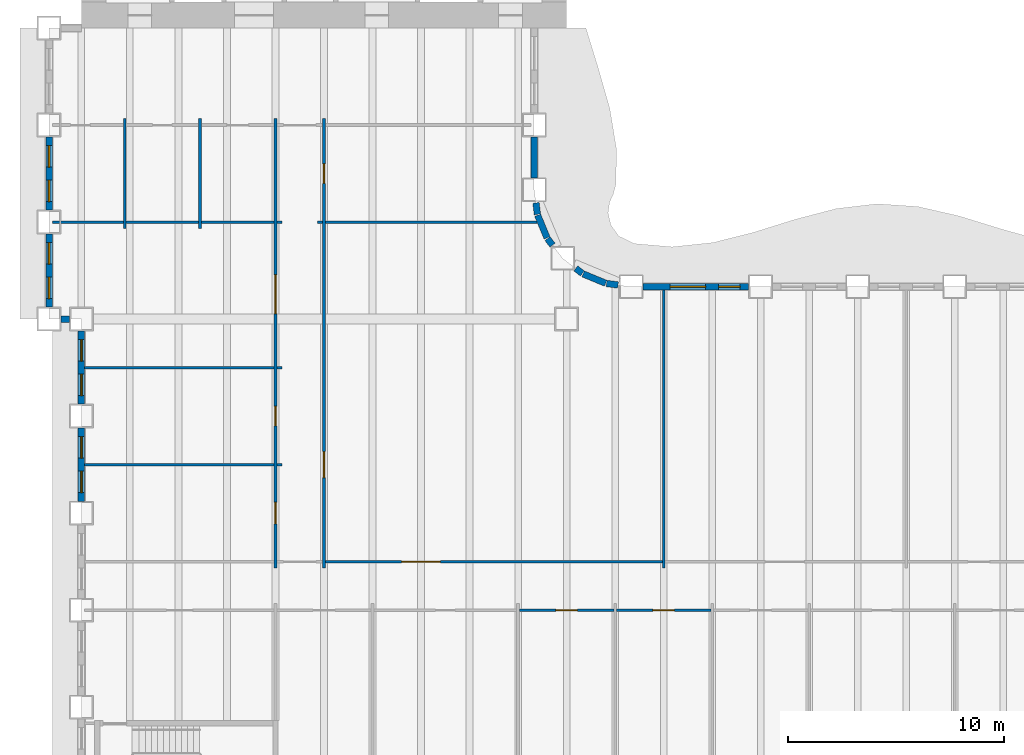
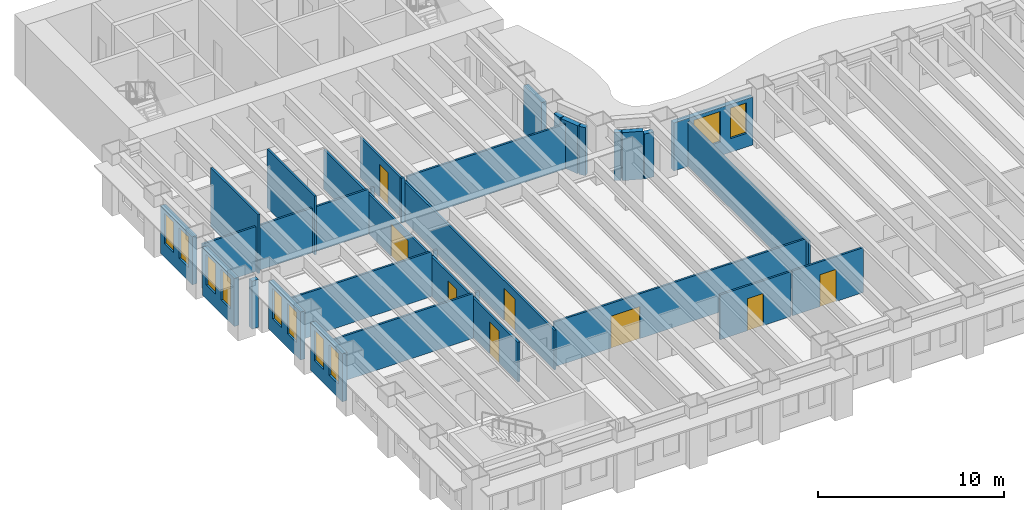
# One storey, part 4 of 15: 31 walls, 10 windows, 8 doors, 18 openings.
"""IFC4 building model written with IfcOpenShell, lengths in metres."""

from ifc_helpers import new_model, si_unit, direction, frame, frame_2d, origin, place, context, subcontext, project, spatial, rectangle, extrude, material, layer, layer_set, type_object, element, fill, save


model = new_model("IFC4")

# Units and contexts
model_context = context("Model", 3, precision=1e-05, world=origin(), true_north=direction((0.0, 1.0)))
body_context = subcontext(model_context, "Body", "Model", "MODEL_VIEW")
ifc_project = project(units=[si_unit("LENGTHUNIT", "METRE"), si_unit("AREAUNIT", "SQUARE_METRE"), si_unit("VOLUMEUNIT", "CUBIC_METRE"), si_unit("PLANEANGLEUNIT", "RADIAN"), si_unit("MASSUNIT", "GRAM", prefix="KILO")], contexts=[model_context])

# Site, building, storey
site_placement = place(None, origin())
site = spatial("IfcSite", under=ifc_project, at=site_placement, CompositionType="ELEMENT")
building_placement = place(site_placement, origin())
building = spatial("IfcBuilding", under=site, at=building_placement, Name="Sennacour Bend Tower", CompositionType="ELEMENT")
storey_placement = place(building_placement, frame((0.0, 0.0, 37.0)))
storey = spatial("IfcBuildingStorey", under=building, at=storey_placement, Name="L07", CompositionType="ELEMENT", Elevation=37.0)

# Walls
ifc_material_1 = material(Name="Plasterboard partition on steel studs", Category="steel")
ifc_layer_1 = layer(ifc_material_1, 0.1201171875, Name="Plasterboard partition on steel studs", Category="steel")
ifc_layer_set_1 = layer_set([ifc_layer_1], Name="Plasterboard partition on steel studs")
wall_type_1 = type_object("IfcWallType", Name="Partition 120", PredefinedType="PARTITIONING", material=ifc_layer_set_1)
for number, where, z_axis, x_axis, name in (
    (1, (2.0, 26.699951171875, 0.0), (0.0, 0.0, 1.0), (0.0, 1.0, 0.0), "P-L07-W004a"),
    (2, (5.5, 26.699951171875, 0.0), (0.0, 0.0, 1.0), (0.0, 1.0, 0.0), "P-L07-W008a"),
):
    element("IfcWall", number, at=place(storey_placement, frame(where, z_axis=z_axis, x_axis=x_axis)), inside=storey, type_object=wall_type_1, Name=name, PredefinedType="PARTITIONING", context=body_context, shape_type="SweptSolid", body=[
        extrude(rectangle(XDim=5.10009765625, YDim=0.1201171875, at=frame_2d((2.550048828125, 0.0))), origin(), (0.0, 0.0, 1.0), 3.85009765625),
    ])
wall_1_placement = place(storey_placement, frame((27.0, 10.949951171875, 0.0), z_axis=(0.0, 0.0, 1.0), x_axis=(0.0, 1.0, 0.0)))
element("IfcWall", 3, at=wall_1_placement, inside=storey, type_object=wall_type_1, Name="P-L07-W027a", PredefinedType="PARTITIONING", context=body_context, shape_type="SweptSolid", body=[
    extrude(rectangle(XDim=12.900146484375, YDim=0.1201171875, at=frame_2d((6.4501953125, 0.0))), origin(), (0.0, 0.0, 1.0), 2.93798828125),
])

# Wall, opening, door
wall_2_placement = place(storey_placement, frame((20.31005859375, 9.0, 0.0), z_axis=(0.0, 0.0, 1.0), x_axis=(1.0, 0.0, 0.0)))
wall_2 = element("IfcWall", 4, at=wall_2_placement, inside=storey, type_object=wall_type_1, Name="P-L07-W058ad", PredefinedType="PARTITIONING", context=body_context, shape_type="SweptSolid", body=[
    extrude(rectangle(XDim=4.3798828125, YDim=0.1201171875, at=frame_2d((2.18994140625, 0.0))), origin(), (0.0, 0.0, 1.0), 2.93798828125),
])
opening_1_placement = place(wall_2_placement, frame((1.68994140625, 0.0, 0.0)))
opening_1 = element("IfcOpeningElement", 5, at=opening_1_placement, cuts=wall_2, Name="Opening MD2", PredefinedType="OPENING", context=body_context, shape_type="SweptSolid", body=[
    extrude(rectangle(XDim=1.0, YDim=2.10009765625, at=frame_2d((0.5, 1.050048828125))), frame((0.0, 0.070068359375, 0.0), z_axis=(0.0, -1.0, 0.0), x_axis=(1.0, 0.0, 0.0)), (0.0, 0.0, 1.0), 0.14013671875),
])
ifc_material_2 = material(Name="Timber", Category="wood")
door_type_1 = type_object("IfcDoorType", Name="DR-MEETING-1000", OperationType="NOTDEFINED", PredefinedType="DOOR", material=ifc_material_2)
door_1_placement = place(opening_1_placement, origin())
door_1 = element("IfcDoor", 6, at=door_1_placement, inside=storey, type_object=door_type_1, Name="Door", OperationType="SINGLE_SWING_LEFT", OverallHeight=2.10009765625, OverallWidth=1.0, PredefinedType="DOOR", context=body_context, shape_type="SweptSolid", body=[
    extrude(rectangle(XDim=1.0, YDim=2.10009765625, at=frame_2d((0.5, 1.050048828125))), frame((0.0, 0.02490234375, 0.0), z_axis=(0.0, -1.0, 0.0), x_axis=(1.0, 0.0, 0.0)), (0.0, 0.0, 1.0), 0.050048828125),
])
fill(opening_1, door_1)

wall_3_placement = place(storey_placement, frame((24.81005859375, 9.0, 0.0), z_axis=(0.0, 0.0, 1.0), x_axis=(1.0, 0.0, 0.0)))
wall_3 = element("IfcWall", 7, at=wall_3_placement, inside=storey, type_object=wall_type_1, Name="P-L07-W058ae", PredefinedType="PARTITIONING", context=body_context, shape_type="SweptSolid", body=[
    extrude(rectangle(XDim=4.3798828125, YDim=0.1201171875, at=frame_2d((2.18994140625, 0.0))), origin(), (0.0, 0.0, 1.0), 2.93798828125),
])
opening_2_placement = place(wall_3_placement, frame((1.68994140625, 0.0, 0.0)))
opening_2 = element("IfcOpeningElement", 8, at=opening_2_placement, cuts=wall_3, Name="Opening OD2", PredefinedType="OPENING", context=body_context, shape_type="SweptSolid", body=[
    extrude(rectangle(XDim=1.0, YDim=2.10009765625, at=frame_2d((0.5, 1.050048828125))), frame((0.0, 0.070068359375, 0.0), z_axis=(0.0, -1.0, 0.0), x_axis=(1.0, 0.0, 0.0)), (0.0, 0.0, 1.0), 0.14013671875),
])
door_type_2 = type_object("IfcDoorType", Name="DR-OFFICE-1000", OperationType="NOTDEFINED", PredefinedType="DOOR", material=ifc_material_2)
door_2_placement = place(opening_2_placement, origin())
door_2 = element("IfcDoor", 9, at=door_2_placement, inside=storey, type_object=door_type_2, Name="Door", OperationType="SINGLE_SWING_LEFT", OverallHeight=2.10009765625, OverallWidth=1.0, PredefinedType="DOOR", context=body_context, shape_type="SweptSolid", body=[
    extrude(rectangle(XDim=1.0, YDim=2.10009765625, at=frame_2d((0.5, 1.050048828125))), frame((0.0, 0.02490234375, 0.0), z_axis=(0.0, -1.0, 0.0), x_axis=(1.0, 0.0, 0.0)), (0.0, 0.0, 1.0), 0.050048828125),
])
fill(opening_2, door_2)

wall_4_placement = place(storey_placement, frame((11.31005859375, 11.25, 0.0), z_axis=(0.0, 0.0, 1.0), x_axis=(1.0, 0.0, 0.0)))
wall_4 = element("IfcWall", 10, at=wall_4_placement, inside=storey, type_object=wall_type_1, Name="P-L07-W060ac", PredefinedType="PARTITIONING", context=body_context, shape_type="SweptSolid", body=[
    extrude(rectangle(XDim=15.6298828125, YDim=0.1201171875, at=frame_2d((7.81494140625, 0.0))), origin(), (0.0, 0.0, 1.0), 2.93798828125),
])
opening_3_placement = place(wall_4_placement, frame((3.539794921875, 0.0, 0.0)))
opening_3 = element("IfcOpeningElement", 11, at=opening_3_placement, cuts=wall_4, Name="Opening OD3", PredefinedType="OPENING", context=body_context, shape_type="SweptSolid", body=[
    extrude(rectangle(XDim=1.800048828125, YDim=2.10009765625, at=frame_2d((0.89990234375, 1.050048828125))), frame((0.0, 0.070068359375, 0.0), z_axis=(0.0, -1.0, 0.0), x_axis=(1.0, 0.0, 0.0)), (0.0, 0.0, 1.0), 0.14013671875),
])
door_type_3 = type_object("IfcDoorType", Name="DR-OFFICE-1800", OperationType="NOTDEFINED", PredefinedType="DOOR", material=ifc_material_2)
door_3_placement = place(opening_3_placement, origin())
door_3 = element("IfcDoor", 12, at=door_3_placement, inside=storey, type_object=door_type_3, Name="Door", OperationType="DOUBLE_DOOR_SINGLE_SWING", OverallHeight=2.10009765625, OverallWidth=1.800048828125, PredefinedType="DOOR", context=body_context, shape_type="SweptSolid", body=[
    extrude(rectangle(XDim=1.800048828125, YDim=2.10009765625, at=frame_2d((0.89990234375, 1.050048828125))), frame((0.0, 0.02490234375, 0.0), z_axis=(0.0, -1.0, 0.0), x_axis=(1.0, 0.0, 0.0)), (0.0, 0.0, 1.0), 0.050048828125),
])
fill(opening_3, door_3)

# Walls
wall_5_placement = place(storey_placement, frame((0.14990234375, 15.75, 0.0), z_axis=(0.0, 0.0, 1.0), x_axis=(1.0, 0.0, 0.0)))
element("IfcWall", 13, at=wall_5_placement, inside=storey, type_object=wall_type_1, Name="P-L07-W065aa", PredefinedType="PARTITIONING", context=body_context, shape_type="SweptSolid", body=[
    extrude(rectangle(XDim=8.7900390625, YDim=0.1201171875, at=frame_2d((4.39501953125, 0.0))), origin(), (0.0, 0.0, 1.0), 2.93798828125),
])
wall_6_placement = place(storey_placement, frame((9.06005859375, 15.75, 0.0), z_axis=(0.0, 0.0, 1.0), x_axis=(1.0, 0.0, 0.0)))
element("IfcWall", 14, at=wall_6_placement, inside=storey, type_object=wall_type_1, Name="P-L07-W065ab", PredefinedType="PARTITIONING", context=body_context, shape_type="SweptSolid", body=[
    extrude(rectangle(XDim=0.239990234375, YDim=0.1201171875, at=frame_2d((0.1201171875, 0.0))), origin(), (0.0, 0.0, 1.0), 2.93798828125),
])
wall_7_placement = place(storey_placement, frame((0.14990234375, 20.25, 0.0), z_axis=(0.0, 0.0, 1.0), x_axis=(1.0, 0.0, 0.0)))
element("IfcWall", 15, at=wall_7_placement, inside=storey, type_object=wall_type_1, Name="P-L07-W069aa", PredefinedType="PARTITIONING", context=body_context, shape_type="SweptSolid", body=[
    extrude(rectangle(XDim=8.7900390625, YDim=0.1201171875, at=frame_2d((4.39501953125, 0.0))), origin(), (0.0, 0.0, 1.0), 2.93798828125),
])
wall_8_placement = place(storey_placement, frame((9.06005859375, 20.25, 0.0), z_axis=(0.0, 0.0, 1.0), x_axis=(1.0, 0.0, 0.0)))
element("IfcWall", 16, at=wall_8_placement, inside=storey, type_object=wall_type_1, Name="P-L07-W069ab", PredefinedType="PARTITIONING", context=body_context, shape_type="SweptSolid", body=[
    extrude(rectangle(XDim=0.239990234375, YDim=0.1201171875, at=frame_2d((0.1201171875, 0.0))), origin(), (0.0, 0.0, 1.0), 2.93798828125),
])
wall_9_placement = place(storey_placement, frame((-1.35009765625, 27.0, 0.0), z_axis=(0.0, 0.0, 1.0), x_axis=(1.0, 0.0, 0.0)))
element("IfcWall", 17, at=wall_9_placement, inside=storey, type_object=wall_type_1, Name="P-L07-W071aa", PredefinedType="PARTITIONING", context=body_context, shape_type="SweptSolid", body=[
    extrude(rectangle(XDim=3.2900390625, YDim=0.1201171875, at=frame_2d((1.64501953125, 0.0))), origin(), (0.0, 0.0, 1.0), 2.93798828125),
])
for number, where, z_axis, x_axis, name in (
    (18, (2.06005859375, 27.0, 0.0), (0.0, 0.0, 1.0), (1.0, 0.0, 0.0), "P-L07-W071ab"),
    (19, (5.56005859375, 27.0, 0.0), (0.0, 0.0, 1.0), (1.0, 0.0, 0.0), "P-L07-W071ac"),
):
    element("IfcWall", number, at=place(storey_placement, frame(where, z_axis=z_axis, x_axis=x_axis)), inside=storey, type_object=wall_type_1, Name=name, PredefinedType="PARTITIONING", context=body_context, shape_type="SweptSolid", body=[
        extrude(rectangle(XDim=3.3798828125, YDim=0.1201171875, at=frame_2d((1.68994140625, 0.0))), origin(), (0.0, 0.0, 1.0), 2.93798828125),
    ])
for number, where, z_axis, x_axis, name in (
    (20, (9.06005859375, 27.0, 0.0), (0.0, 0.0, 1.0), (1.0, 0.0, 0.0), "P-L07-W071ad"),
    (21, (10.949951171875, 27.0, 0.0), (0.0, 0.0, 1.0), (1.0, 0.0, 0.0), "P-L07-W072aa"),
):
    element("IfcWall", number, at=place(storey_placement, frame(where, z_axis=z_axis, x_axis=x_axis)), inside=storey, type_object=wall_type_1, Name=name, PredefinedType="PARTITIONING", context=body_context, shape_type="SweptSolid", body=[
        extrude(rectangle(XDim=0.239990234375, YDim=0.1201171875, at=frame_2d((0.1201171875, 0.0))), origin(), (0.0, 0.0, 1.0), 2.93798828125),
    ])
wall_10_placement = place(storey_placement, frame((11.31005859375, 27.0, 0.0), z_axis=(0.0, 0.0, 1.0), x_axis=(1.0, 0.0, 0.0)))
element("IfcWall", 22, at=wall_10_placement, inside=storey, type_object=wall_type_1, Name="P-L07-W072ab", PredefinedType="PARTITIONING", context=body_context, shape_type="SweptSolid", body=[
    extrude(rectangle(XDim=9.81982421875, YDim=0.1201171875, at=frame_2d((4.909912109375, 0.0))), origin(), (0.0, 0.0, 1.0), 2.93798828125),
])

# Wall, openings, doors
ifc_layer_2 = layer(ifc_material_1, 0.1201171875, Name="Plasterboard partition on steel studs", Category="steel")
ifc_layer_set_2 = layer_set([ifc_layer_2], Name="Plasterboard partition on steel studs")
wall_type_2 = type_object("IfcWallType", Name="Partition 120 EI 60", PredefinedType="PARTITIONING", material=ifc_layer_set_2)
wall_11_placement = place(storey_placement, frame((9.0, 10.949951171875, 0.0), z_axis=(0.0, 0.0, 1.0), x_axis=(0.0, 1.0, 0.0)))
wall_11 = element("IfcWall", 23, at=wall_11_placement, inside=storey, type_object=wall_type_2, Name="P-L07-W013a", PredefinedType="PARTITIONING", context=body_context, shape_type="SweptSolid", body=[
    extrude(rectangle(XDim=20.85009765625, YDim=0.1201171875, at=frame_2d((10.425048828125, 0.0))), origin(), (0.0, 0.0, 1.0), 2.60009765625),
])
opening_4_placement = place(wall_11_placement, frame((2.050048828125, 0.0, 0.0)))
opening_4 = element("IfcOpeningElement", 24, at=opening_4_placement, cuts=wall_11, Name="Opening OD2", PredefinedType="OPENING", context=body_context, shape_type="SweptSolid", body=[
    extrude(rectangle(XDim=1.0, YDim=2.10009765625, at=frame_2d((0.5, 1.050048828125))), frame((0.0, 0.070068359375, 0.0), z_axis=(0.0, -1.0, 0.0), x_axis=(1.0, 0.0, 0.0)), (0.0, 0.0, 1.0), 0.14013671875),
])
opening_5_placement = place(wall_11_placement, frame((6.60009765625, 0.0, 0.0)))
opening_5 = element("IfcOpeningElement", 25, at=opening_5_placement, cuts=wall_11, Name="Opening SV", PredefinedType="OPENING", context=body_context, shape_type="SweptSolid", body=[
    extrude(rectangle(XDim=0.89990234375, YDim=2.10009765625, at=frame_2d((0.449951171875, 1.050048828125))), frame((0.0, 0.070068359375, 0.0), z_axis=(0.0, -1.0, 0.0), x_axis=(1.0, 0.0, 0.0)), (0.0, 0.0, 1.0), 0.14013671875),
])
opening_6_placement = place(wall_11_placement, frame((11.804931640625, 0.0, 0.0)))
opening_6 = element("IfcOpeningElement", 26, at=opening_6_placement, cuts=wall_11, Name="Opening OD3", PredefinedType="OPENING", context=body_context, shape_type="SweptSolid", body=[
    extrude(rectangle(XDim=1.800048828125, YDim=2.10009765625, at=frame_2d((0.89990234375, 1.050048828125))), frame((0.0, 0.070068359375, 0.0), z_axis=(0.0, -1.0, 0.0), x_axis=(1.0, 0.0, 0.0)), (0.0, 0.0, 1.0), 0.14013671875),
])
door_4_placement = place(opening_4_placement, origin())
door_4 = element("IfcDoor", 27, at=door_4_placement, inside=storey, type_object=door_type_2, Name="Door", OperationType="SINGLE_SWING_LEFT", OverallHeight=2.10009765625, OverallWidth=1.0, PredefinedType="DOOR", context=body_context, shape_type="SweptSolid", body=[
    extrude(rectangle(XDim=1.0, YDim=2.10009765625, at=frame_2d((0.5, 1.050048828125))), frame((0.0, 0.02490234375, 0.0), z_axis=(0.0, -1.0, 0.0), x_axis=(1.0, 0.0, 0.0)), (0.0, 0.0, 1.0), 0.050048828125),
])
fill(opening_4, door_4)
door_5_placement = place(opening_6_placement, origin())
door_5 = element("IfcDoor", 28, at=door_5_placement, inside=storey, type_object=door_type_3, Name="Door", OperationType="DOUBLE_DOOR_SINGLE_SWING", OverallHeight=2.10009765625, OverallWidth=1.800048828125, PredefinedType="DOOR", context=body_context, shape_type="SweptSolid", body=[
    extrude(rectangle(XDim=1.800048828125, YDim=2.10009765625, at=frame_2d((0.89990234375, 1.050048828125))), frame((0.0, 0.02490234375, 0.0), z_axis=(0.0, -1.0, 0.0), x_axis=(1.0, 0.0, 0.0)), (0.0, 0.0, 1.0), 0.050048828125),
])
fill(opening_6, door_5)
ifc_material_3 = material(Name="Painted steel", Category="steel")
door_type_4 = type_object("IfcDoorType", Name="DR-SERVICE-900", OperationType="NOTDEFINED", PredefinedType="DOOR", material=ifc_material_3)
door_6_placement = place(opening_5_placement, origin())
door_6 = element("IfcDoor", 29, at=door_6_placement, inside=storey, type_object=door_type_4, Name="Door", OperationType="SINGLE_SWING_LEFT", OverallHeight=2.10009765625, OverallWidth=0.89990234375, PredefinedType="DOOR", context=body_context, shape_type="SweptSolid", body=[
    extrude(rectangle(XDim=0.89990234375, YDim=2.10009765625, at=frame_2d((0.449951171875, 1.050048828125))), frame((0.0, 0.02490234375, 0.0), z_axis=(0.0, -1.0, 0.0), x_axis=(1.0, 0.0, 0.0)), (0.0, 0.0, 1.0), 0.050048828125),
])
fill(opening_5, door_6)

wall_12_placement = place(storey_placement, frame((11.25, 10.949951171875, 0.0), z_axis=(0.0, 0.0, 1.0), x_axis=(0.0, 1.0, 0.0)))
wall_12 = element("IfcWall", 30, at=wall_12_placement, inside=storey, type_object=wall_type_2, Name="P-L07-W015a", PredefinedType="PARTITIONING", context=body_context, shape_type="SweptSolid", body=[
    extrude(rectangle(XDim=20.85009765625, YDim=0.1201171875, at=frame_2d((10.425048828125, 0.0))), origin(), (0.0, 0.0, 1.0), 2.60009765625),
])
opening_7_placement = place(wall_12_placement, frame((17.85009765625, 0.0, 0.0)))
opening_7 = element("IfcOpeningElement", 31, at=opening_7_placement, cuts=wall_12, Name="Opening SV", PredefinedType="OPENING", context=body_context, shape_type="SweptSolid", body=[
    extrude(rectangle(XDim=0.89990234375, YDim=2.10009765625, at=frame_2d((0.449951171875, 1.050048828125))), frame((0.0, 0.070068359375, 0.0), z_axis=(0.0, -1.0, 0.0), x_axis=(1.0, 0.0, 0.0)), (0.0, 0.0, 1.0), 0.14013671875),
])
opening_8_placement = place(wall_12_placement, frame((4.199951171875, 0.0, 0.0)))
opening_8 = element("IfcOpeningElement", 32, at=opening_8_placement, cuts=wall_12, Name="Opening OD", PredefinedType="OPENING", context=body_context, shape_type="SweptSolid", body=[
    extrude(rectangle(XDim=1.199951171875, YDim=2.10009765625, at=frame_2d((0.60009765625, 1.050048828125))), frame((0.0, 0.070068359375, 0.0), z_axis=(0.0, -1.0, 0.0), x_axis=(1.0, 0.0, 0.0)), (0.0, 0.0, 1.0), 0.14013671875),
])
door_type_5 = type_object("IfcDoorType", Name="DR-OFFICE-1200", OperationType="NOTDEFINED", PredefinedType="DOOR", material=ifc_material_2)
door_7_placement = place(opening_8_placement, origin())
door_7 = element("IfcDoor", 33, at=door_7_placement, inside=storey, type_object=door_type_5, Name="Door", OperationType="SINGLE_SWING_LEFT", OverallHeight=2.10009765625, OverallWidth=1.199951171875, PredefinedType="DOOR", context=body_context, shape_type="SweptSolid", body=[
    extrude(rectangle(XDim=1.199951171875, YDim=2.10009765625, at=frame_2d((0.60009765625, 1.050048828125))), frame((0.0, 0.02490234375, 0.0), z_axis=(0.0, -1.0, 0.0), x_axis=(1.0, 0.0, 0.0)), (0.0, 0.0, 1.0), 0.050048828125),
])
fill(opening_8, door_7)
door_8_placement = place(opening_7_placement, origin())
door_8 = element("IfcDoor", 34, at=door_8_placement, inside=storey, type_object=door_type_4, Name="Door", OperationType="SINGLE_SWING_RIGHT", OverallHeight=2.10009765625, OverallWidth=0.89990234375, PredefinedType="DOOR", context=body_context, shape_type="SweptSolid", body=[
    extrude(rectangle(XDim=0.89990234375, YDim=2.10009765625, at=frame_2d((0.449951171875, 1.050048828125))), frame((0.0, 0.02490234375, 0.0), z_axis=(0.0, -1.0, 0.0), x_axis=(1.0, 0.0, 0.0)), (0.0, 0.0, 1.0), 0.050048828125),
])
fill(opening_7, door_8)

# Wall, openings, windows
ifc_material_4 = material(Name="Warm limestone cladding", Category="masonry")
ifc_layer_3 = layer(ifc_material_4, 0.050048828125, Name="Warm limestone cladding", Category="masonry")
ifc_material_5 = material(Name="Precast concrete C40/50", Category="concrete")
ifc_layer_4 = layer(ifc_material_5, 0.25, Name="Precast concrete C40/50", Category="concrete")
ifc_layer_set_3 = layer_set([ifc_layer_3, ifc_layer_4], Name="Precast concrete C40/50 with limestone cladding")
wall_type_3 = type_object("IfcWallType", Name="STONE-CLAD PRECAST SPANDREL 300", PredefinedType="STANDARD", material=ifc_layer_set_3)
wall_13_placement = place(storey_placement, frame((30.949951171875, 24.0, 0.0), z_axis=(0.0, 0.0, 1.0), x_axis=(-1.0, 0.0, 0.0)))
wall_13 = element("IfcWall", 35, at=wall_13_placement, inside=storey, type_object=wall_type_3, Name="Stone spandrel and pier wall L07 08.05", PredefinedType="STANDARD", context=body_context, shape_type="SweptSolid", body=[
    extrude(rectangle(XDim=4.89990234375, YDim=0.300048828125, at=frame_2d((2.449951171875, 0.0))), origin(), (0.0, 0.0, 1.0), 3.14404296875),
])
opening_9_placement = place(wall_13_placement, frame((0.39990234375, 0.0, 0.89990234375)))
opening_9 = element("IfcOpeningElement", 36, at=opening_9_placement, cuts=wall_13, Name="Opening W8", PredefinedType="OPENING", context=body_context, shape_type="SweptSolid", body=[
    extrude(rectangle(XDim=1.0, YDim=2.0, at=frame_2d((0.5, 1.0))), frame((0.0, 0.16015625, 0.0), z_axis=(0.0, -1.0, 0.0), x_axis=(1.0, 0.0, 0.0)), (0.0, 0.0, 1.0), 0.320068359375),
])
opening_10_placement = place(wall_13_placement, frame((2.0, 0.0, 0.89990234375)))
opening_10 = element("IfcOpeningElement", 37, at=opening_10_placement, cuts=wall_13, Name="Opening W10", PredefinedType="OPENING", context=body_context, shape_type="SweptSolid", body=[
    extrude(rectangle(XDim=1.64990234375, YDim=2.0, at=frame_2d((0.824951171875, 1.0))), frame((0.0, 0.16015625, 0.0), z_axis=(0.0, -1.0, 0.0), x_axis=(1.0, 0.0, 0.0)), (0.0, 0.0, 1.0), 0.320068359375),
])
ifc_material_6 = material(Name="Clear low-emissivity glass", Category="glass")
window_type_1 = type_object("IfcWindowType", Name="WIN-RIBBON-1000x2000", PartitioningType="SINGLE_PANEL", PredefinedType="WINDOW", material=ifc_material_6)
window_1_placement = place(opening_9_placement, origin())
window_1 = element("IfcWindow", 38, at=window_1_placement, inside=storey, type_object=window_type_1, Name="Ribbon window L07 08.05.0", OverallHeight=2.0, OverallWidth=1.0, PartitioningType="SINGLE_PANEL", PredefinedType="WINDOW", context=body_context, shape_type="SweptSolid", body=[
    extrude(rectangle(XDim=1.0, YDim=2.0, at=frame_2d((0.5, 1.0))), frame((0.0, 0.030029296875, 0.0), z_axis=(0.0, -1.0, 0.0), x_axis=(1.0, 0.0, 0.0)), (0.0, 0.0, 1.0), 0.06005859375),
])
fill(opening_9, window_1)
window_type_2 = type_object("IfcWindowType", Name="WIN-RIBBON-1650x2000", PartitioningType="SINGLE_PANEL", PredefinedType="WINDOW", material=ifc_material_6)
window_2_placement = place(opening_10_placement, origin())
window_2 = element("IfcWindow", 39, at=window_2_placement, inside=storey, type_object=window_type_2, Name="Ribbon window L07 08.05.1", OverallHeight=2.0, OverallWidth=1.64990234375, PartitioningType="SINGLE_PANEL", PredefinedType="WINDOW", context=body_context, shape_type="SweptSolid", body=[
    extrude(rectangle(XDim=1.64990234375, YDim=2.0, at=frame_2d((0.824951171875, 1.0))), frame((0.0, 0.030029296875, 0.0), z_axis=(0.0, -1.0, 0.0), x_axis=(1.0, 0.0, 0.0)), (0.0, 0.0, 1.0), 0.06005859375),
])
fill(opening_10, window_2)

# Walls
wall_14_placement = place(storey_placement, frame((24.88818359375, 24.08056640625, 0.0), z_axis=(0.0, 0.0, 1.0), x_axis=(-0.991417173479, 0.130736330569, 0.0)))
element("IfcWall", 40, at=wall_14_placement, inside=storey, type_object=wall_type_3, Name="Stone spandrel and pier wall L07 09.00", PredefinedType="STANDARD", context=body_context, shape_type="SweptSolid", body=[
    extrude(rectangle(XDim=0.537841796875, YDim=0.300048828125, at=frame_2d((0.26904296875, 0.0))), origin(), (0.0, 0.0, 1.0), 2.93798828125),
])
wall_15_placement = place(storey_placement, frame((24.317138671875, 24.160888671875, 0.0), z_axis=(0.0, 0.0, 1.0), x_axis=(-0.923914616768, 0.382598720491, 0.0)))
element("IfcWall", 41, at=wall_15_placement, inside=storey, type_object=wall_type_3, Name="Stone spandrel and pier wall L07 10.00", PredefinedType="STANDARD", context=body_context, shape_type="SweptSolid", body=[
    extrude(rectangle(XDim=1.13525390625, YDim=0.300048828125, at=frame_2d((0.567626953125, 0.0))), origin(), (0.0, 0.0, 1.0), 3.14404296875),
])
for number, where, z_axis, x_axis, name in (
    (42, (23.234375, 24.614990234375, 0.0), (0.0, 0.0, 1.0), (-0.79354495224, 0.60851163405, 0.0), "Stone spandrel and pier wall L07 11.00"),
    (43, (21.8486328125, 25.9296875, 0.0), (0.0, 0.0, 1.0), (-0.60851163405, 0.79354495224, 0.0), "Stone spandrel and pier wall L07 12.00"),
):
    element("IfcWall", number, at=place(storey_placement, frame(where, z_axis=z_axis, x_axis=x_axis)), inside=storey, type_object=wall_type_3, Name=name, PredefinedType="STANDARD", context=body_context, shape_type="SweptSolid", body=[
        extrude(rectangle(XDim=0.384033203125, YDim=0.300048828125, at=frame_2d((0.19189453125, 0.0))), origin(), (0.0, 0.0, 1.0), 3.14404296875),
    ])
wall_16_placement = place(storey_placement, frame((21.59521484375, 26.268310546875, 0.0), z_axis=(0.0, 0.0, 1.0), x_axis=(-0.382598720491, 0.923914616768, 0.0)))
element("IfcWall", 44, at=wall_16_placement, inside=storey, type_object=wall_type_3, Name="Stone spandrel and pier wall L07 13.00", PredefinedType="STANDARD", context=body_context, shape_type="SweptSolid", body=[
    extrude(rectangle(XDim=1.13525390625, YDim=0.300048828125, at=frame_2d((0.567626953125, 0.0))), origin(), (0.0, 0.0, 1.0), 3.14404296875),
])
wall_17_placement = place(storey_placement, frame((21.15087890625, 27.35498046875, 0.0), z_axis=(0.0, 0.0, 1.0), x_axis=(-0.130736330569, 0.991417173479, 0.0)))
element("IfcWall", 45, at=wall_17_placement, inside=storey, type_object=wall_type_3, Name="Stone spandrel and pier wall L07 14.00", PredefinedType="STANDARD", context=body_context, shape_type="SweptSolid", body=[
    extrude(rectangle(XDim=0.537841796875, YDim=0.300048828125, at=frame_2d((0.26904296875, 0.0))), origin(), (0.0, 0.0, 1.0), 3.14404296875),
])
wall_18_placement = place(storey_placement, frame((21.0, 29.050048828125, 0.0), z_axis=(0.0, 0.0, 1.0), x_axis=(0.0, 1.0, 0.0)))
element("IfcWall", 46, at=wall_18_placement, inside=storey, type_object=wall_type_3, Name="Stone spandrel and pier wall L07 15.00", PredefinedType="STANDARD", context=body_context, shape_type="SweptSolid", body=[
    extrude(rectangle(XDim=1.89990234375, YDim=0.300048828125, at=frame_2d((0.949951171875, 0.0))), origin(), (0.0, 0.0, 1.0), 3.14404296875),
])

# Wall, openings, windows
wall_19_placement = place(storey_placement, frame((-1.5, 30.949951171875, 0.0), z_axis=(0.0, 0.0, 1.0), x_axis=(0.0, -1.0, 0.0)))
wall_19 = element("IfcWall", 47, at=wall_19_placement, inside=storey, type_object=wall_type_3, Name="Stone spandrel and pier wall L07 21.01", PredefinedType="STANDARD", context=body_context, shape_type="SweptSolid", body=[
    extrude(rectangle(XDim=3.39990234375, YDim=0.300048828125, at=frame_2d((1.699951171875, 0.0))), origin(), (0.0, 0.0, 1.0), 3.14404296875),
])
opening_11_placement = place(wall_19_placement, frame((0.39990234375, 0.0, 0.89990234375)))
opening_11 = element("IfcOpeningElement", 48, at=opening_11_placement, cuts=wall_19, Name="Opening W8", PredefinedType="OPENING", context=body_context, shape_type="SweptSolid", body=[
    extrude(rectangle(XDim=1.0, YDim=2.0, at=frame_2d((0.5, 1.0))), frame((0.0, 0.16015625, 0.0), z_axis=(0.0, -1.0, 0.0), x_axis=(1.0, 0.0, 0.0)), (0.0, 0.0, 1.0), 0.320068359375),
])
opening_12_placement = place(wall_19_placement, frame((2.0, 0.0, 0.89990234375)))
opening_12 = element("IfcOpeningElement", 49, at=opening_12_placement, cuts=wall_19, Name="Opening W8", PredefinedType="OPENING", context=body_context, shape_type="SweptSolid", body=[
    extrude(rectangle(XDim=1.0, YDim=2.0, at=frame_2d((0.5, 1.0))), frame((0.0, 0.16015625, 0.0), z_axis=(0.0, -1.0, 0.0), x_axis=(1.0, 0.0, 0.0)), (0.0, 0.0, 1.0), 0.320068359375),
])
window_3_placement = place(opening_11_placement, origin())
window_3 = element("IfcWindow", 50, at=window_3_placement, inside=storey, type_object=window_type_1, Name="Ribbon window L07 21.01.0", OverallHeight=2.0, OverallWidth=1.0, PartitioningType="SINGLE_PANEL", PredefinedType="WINDOW", context=body_context, shape_type="SweptSolid", body=[
    extrude(rectangle(XDim=1.0, YDim=2.0, at=frame_2d((0.5, 1.0))), frame((0.0, 0.030029296875, 0.0), z_axis=(0.0, -1.0, 0.0), x_axis=(1.0, 0.0, 0.0)), (0.0, 0.0, 1.0), 0.06005859375),
])
fill(opening_11, window_3)
window_4_placement = place(opening_12_placement, origin())
window_4 = element("IfcWindow", 51, at=window_4_placement, inside=storey, type_object=window_type_1, Name="Ribbon window L07 21.01.1", OverallHeight=2.0, OverallWidth=1.0, PartitioningType="SINGLE_PANEL", PredefinedType="WINDOW", context=body_context, shape_type="SweptSolid", body=[
    extrude(rectangle(XDim=1.0, YDim=2.0, at=frame_2d((0.5, 1.0))), frame((0.0, 0.030029296875, 0.0), z_axis=(0.0, -1.0, 0.0), x_axis=(1.0, 0.0, 0.0)), (0.0, 0.0, 1.0), 0.06005859375),
])
fill(opening_12, window_4)

wall_20_placement = place(storey_placement, frame((-1.5, 26.449951171875, 0.0), z_axis=(0.0, 0.0, 1.0), x_axis=(0.0, -1.0, 0.0)))
wall_20 = element("IfcWall", 52, at=wall_20_placement, inside=storey, type_object=wall_type_3, Name="Stone spandrel and pier wall L07 21.02", PredefinedType="STANDARD", context=body_context, shape_type="SweptSolid", body=[
    extrude(rectangle(XDim=3.39990234375, YDim=0.300048828125, at=frame_2d((1.699951171875, 0.0))), origin(), (0.0, 0.0, 1.0), 3.14404296875),
])
opening_13_placement = place(wall_20_placement, frame((0.39990234375, 0.0, 0.89990234375)))
opening_13 = element("IfcOpeningElement", 53, at=opening_13_placement, cuts=wall_20, Name="Opening W8", PredefinedType="OPENING", context=body_context, shape_type="SweptSolid", body=[
    extrude(rectangle(XDim=1.0, YDim=2.0, at=frame_2d((0.5, 1.0))), frame((0.0, 0.16015625, 0.0), z_axis=(0.0, -1.0, 0.0), x_axis=(1.0, 0.0, 0.0)), (0.0, 0.0, 1.0), 0.320068359375),
])
opening_14_placement = place(wall_20_placement, frame((2.0, 0.0, 0.89990234375)))
opening_14 = element("IfcOpeningElement", 54, at=opening_14_placement, cuts=wall_20, Name="Opening W8", PredefinedType="OPENING", context=body_context, shape_type="SweptSolid", body=[
    extrude(rectangle(XDim=1.0, YDim=2.0, at=frame_2d((0.5, 1.0))), frame((0.0, 0.16015625, 0.0), z_axis=(0.0, -1.0, 0.0), x_axis=(1.0, 0.0, 0.0)), (0.0, 0.0, 1.0), 0.320068359375),
])
window_5_placement = place(opening_13_placement, origin())
window_5 = element("IfcWindow", 55, at=window_5_placement, inside=storey, type_object=window_type_1, Name="Ribbon window L07 21.02.0", OverallHeight=2.0, OverallWidth=1.0, PartitioningType="SINGLE_PANEL", PredefinedType="WINDOW", context=body_context, shape_type="SweptSolid", body=[
    extrude(rectangle(XDim=1.0, YDim=2.0, at=frame_2d((0.5, 1.0))), frame((0.0, 0.030029296875, 0.0), z_axis=(0.0, -1.0, 0.0), x_axis=(1.0, 0.0, 0.0)), (0.0, 0.0, 1.0), 0.06005859375),
])
fill(opening_13, window_5)
window_6_placement = place(opening_14_placement, origin())
window_6 = element("IfcWindow", 56, at=window_6_placement, inside=storey, type_object=window_type_1, Name="Ribbon window L07 21.02.1", OverallHeight=2.0, OverallWidth=1.0, PartitioningType="SINGLE_PANEL", PredefinedType="WINDOW", context=body_context, shape_type="SweptSolid", body=[
    extrude(rectangle(XDim=1.0, YDim=2.0, at=frame_2d((0.5, 1.0))), frame((0.0, 0.030029296875, 0.0), z_axis=(0.0, -1.0, 0.0), x_axis=(1.0, 0.0, 0.0)), (0.0, 0.0, 1.0), 0.06005859375),
])
fill(opening_14, window_6)

# Wall
wall_21_placement = place(storey_placement, frame((-0.949951171875, 22.5, 0.0), z_axis=(0.0, 0.0, 1.0), x_axis=(1.0, 0.0, 0.0)))
element("IfcWall", 57, at=wall_21_placement, inside=storey, type_object=wall_type_3, Name="Stone spandrel and pier wall L07 22.00", PredefinedType="STANDARD", context=body_context, shape_type="SweptSolid", body=[
    extrude(rectangle(XDim=0.39990234375, YDim=0.300048828125, at=frame_2d((0.199951171875, 0.0))), origin(), (0.0, 0.0, 1.0), 3.14404296875),
])

# Wall, openings, windows
wall_22_placement = place(storey_placement, frame((0.0, 21.949951171875, 0.0), z_axis=(0.0, 0.0, 1.0), x_axis=(0.0, -1.0, 0.0)))
wall_22 = element("IfcWall", 58, at=wall_22_placement, inside=storey, type_object=wall_type_3, Name="Stone spandrel and pier wall L07 23.00", PredefinedType="STANDARD", context=body_context, shape_type="SweptSolid", body=[
    extrude(rectangle(XDim=3.39990234375, YDim=0.300048828125, at=frame_2d((1.699951171875, 0.0))), origin(), (0.0, 0.0, 1.0), 3.14404296875),
])
opening_15_placement = place(wall_22_placement, frame((0.39990234375, 0.0, 0.89990234375)))
opening_15 = element("IfcOpeningElement", 59, at=opening_15_placement, cuts=wall_22, Name="Opening W8", PredefinedType="OPENING", context=body_context, shape_type="SweptSolid", body=[
    extrude(rectangle(XDim=1.0, YDim=2.0, at=frame_2d((0.5, 1.0))), frame((0.0, 0.16015625, 0.0), z_axis=(0.0, -1.0, 0.0), x_axis=(1.0, 0.0, 0.0)), (0.0, 0.0, 1.0), 0.320068359375),
])
opening_16_placement = place(wall_22_placement, frame((2.0, 0.0, 0.89990234375)))
opening_16 = element("IfcOpeningElement", 60, at=opening_16_placement, cuts=wall_22, Name="Opening W8", PredefinedType="OPENING", context=body_context, shape_type="SweptSolid", body=[
    extrude(rectangle(XDim=1.0, YDim=2.0, at=frame_2d((0.5, 1.0))), frame((0.0, 0.16015625, 0.0), z_axis=(0.0, -1.0, 0.0), x_axis=(1.0, 0.0, 0.0)), (0.0, 0.0, 1.0), 0.320068359375),
])
window_7_placement = place(opening_15_placement, origin())
window_7 = element("IfcWindow", 61, at=window_7_placement, inside=storey, type_object=window_type_1, Name="Ribbon window L07 23.00.0", OverallHeight=2.0, OverallWidth=1.0, PartitioningType="SINGLE_PANEL", PredefinedType="WINDOW", context=body_context, shape_type="SweptSolid", body=[
    extrude(rectangle(XDim=1.0, YDim=2.0, at=frame_2d((0.5, 1.0))), frame((0.0, 0.030029296875, 0.0), z_axis=(0.0, -1.0, 0.0), x_axis=(1.0, 0.0, 0.0)), (0.0, 0.0, 1.0), 0.06005859375),
])
fill(opening_15, window_7)
window_8_placement = place(opening_16_placement, origin())
window_8 = element("IfcWindow", 62, at=window_8_placement, inside=storey, type_object=window_type_1, Name="Ribbon window L07 23.00.1", OverallHeight=2.0, OverallWidth=1.0, PartitioningType="SINGLE_PANEL", PredefinedType="WINDOW", context=body_context, shape_type="SweptSolid", body=[
    extrude(rectangle(XDim=1.0, YDim=2.0, at=frame_2d((0.5, 1.0))), frame((0.0, 0.030029296875, 0.0), z_axis=(0.0, -1.0, 0.0), x_axis=(1.0, 0.0, 0.0)), (0.0, 0.0, 1.0), 0.06005859375),
])
fill(opening_16, window_8)

wall_23_placement = place(storey_placement, frame((0.0, 17.449951171875, 0.0), z_axis=(0.0, 0.0, 1.0), x_axis=(0.0, -1.0, 0.0)))
wall_23 = element("IfcWall", 63, at=wall_23_placement, inside=storey, type_object=wall_type_3, Name="Stone spandrel and pier wall L07 23.01", PredefinedType="STANDARD", context=body_context, shape_type="SweptSolid", body=[
    extrude(rectangle(XDim=3.39990234375, YDim=0.300048828125, at=frame_2d((1.699951171875, 0.0))), origin(), (0.0, 0.0, 1.0), 3.14404296875),
])
opening_17_placement = place(wall_23_placement, frame((0.39990234375, 0.0, 0.89990234375)))
opening_17 = element("IfcOpeningElement", 64, at=opening_17_placement, cuts=wall_23, Name="Opening W8", PredefinedType="OPENING", context=body_context, shape_type="SweptSolid", body=[
    extrude(rectangle(XDim=1.0, YDim=2.0, at=frame_2d((0.5, 1.0))), frame((0.0, 0.16015625, 0.0), z_axis=(0.0, -1.0, 0.0), x_axis=(1.0, 0.0, 0.0)), (0.0, 0.0, 1.0), 0.320068359375),
])
opening_18_placement = place(wall_23_placement, frame((2.0, 0.0, 0.89990234375)))
opening_18 = element("IfcOpeningElement", 65, at=opening_18_placement, cuts=wall_23, Name="Opening W8", PredefinedType="OPENING", context=body_context, shape_type="SweptSolid", body=[
    extrude(rectangle(XDim=1.0, YDim=2.0, at=frame_2d((0.5, 1.0))), frame((0.0, 0.16015625, 0.0), z_axis=(0.0, -1.0, 0.0), x_axis=(1.0, 0.0, 0.0)), (0.0, 0.0, 1.0), 0.320068359375),
])
window_9_placement = place(opening_17_placement, origin())
window_9 = element("IfcWindow", 66, at=window_9_placement, inside=storey, type_object=window_type_1, Name="Ribbon window L07 23.01.0", OverallHeight=2.0, OverallWidth=1.0, PartitioningType="SINGLE_PANEL", PredefinedType="WINDOW", context=body_context, shape_type="SweptSolid", body=[
    extrude(rectangle(XDim=1.0, YDim=2.0, at=frame_2d((0.5, 1.0))), frame((0.0, 0.030029296875, 0.0), z_axis=(0.0, -1.0, 0.0), x_axis=(1.0, 0.0, 0.0)), (0.0, 0.0, 1.0), 0.06005859375),
])
fill(opening_17, window_9)
window_10_placement = place(opening_18_placement, origin())
window_10 = element("IfcWindow", 67, at=window_10_placement, inside=storey, type_object=window_type_1, Name="Ribbon window L07 23.01.1", OverallHeight=2.0, OverallWidth=1.0, PartitioningType="SINGLE_PANEL", PredefinedType="WINDOW", context=body_context, shape_type="SweptSolid", body=[
    extrude(rectangle(XDim=1.0, YDim=2.0, at=frame_2d((0.5, 1.0))), frame((0.0, 0.030029296875, 0.0), z_axis=(0.0, -1.0, 0.0), x_axis=(1.0, 0.0, 0.0)), (0.0, 0.0, 1.0), 0.06005859375),
])
fill(opening_18, window_10)

save(model, "model.ifc")
